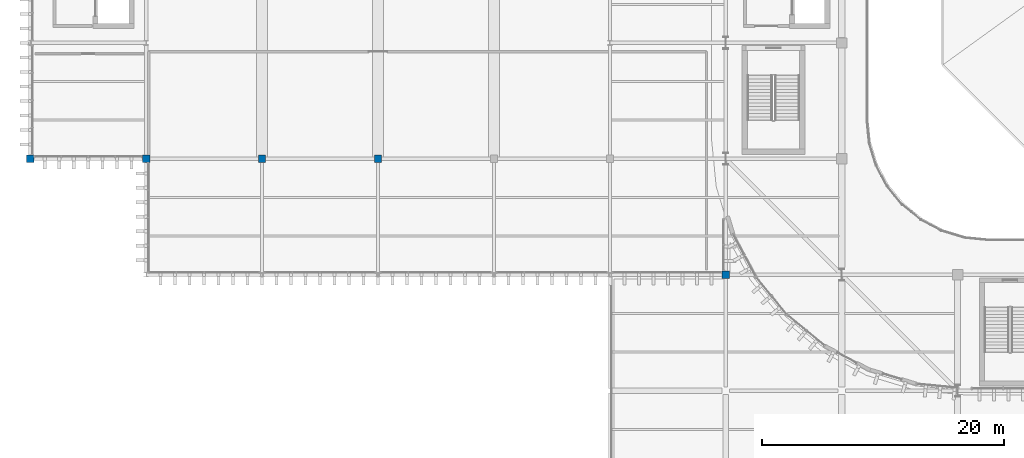
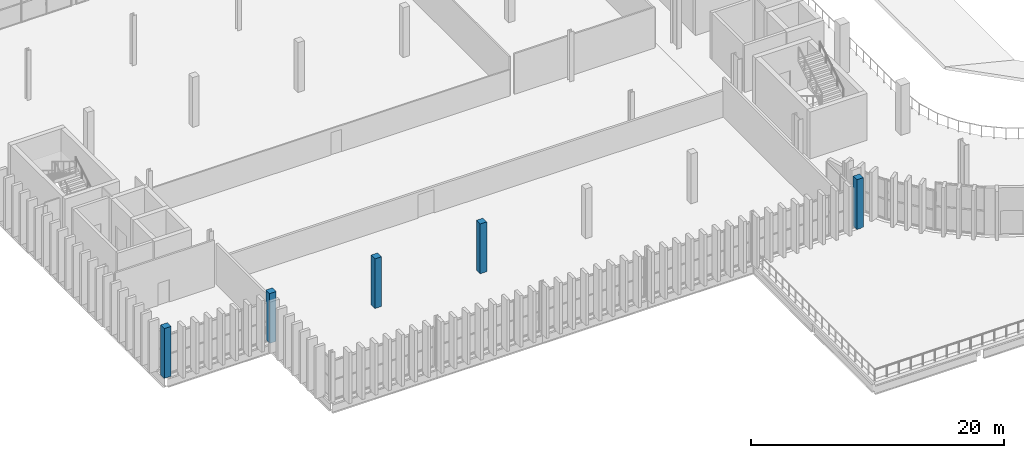
# One storey, part 2 of 99: 5 columns.
"""IFC4 building model written with IfcOpenShell, lengths in metres."""

from ifc_helpers import new_model, si_unit, direction, frame, origin, origin_2d, place, context, subcontext, project, spatial, rectangle, extrude, material, material_profile, profile_set, type_object, element, save


model = new_model("IFC4")

# Units and contexts
model_context = context("Model", 3, precision=1e-05, world=origin(), true_north=direction((0.0, 1.0)))
body_context = subcontext(model_context, "Body", "Model", "MODEL_VIEW")
ifc_project = project(units=[si_unit("LENGTHUNIT", "METRE"), si_unit("AREAUNIT", "SQUARE_METRE"), si_unit("VOLUMEUNIT", "CUBIC_METRE"), si_unit("PLANEANGLEUNIT", "RADIAN"), si_unit("MASSUNIT", "GRAM", prefix="KILO")], contexts=[model_context])

# Site, building, storey
site_placement = place(None, origin())
site = spatial("IfcSite", under=ifc_project, at=site_placement, CompositionType="ELEMENT")
building_placement = place(site_placement, origin())
building = spatial("IfcBuilding", under=site, at=building_placement, Name="Caelomonte Colonnade Arena", CompositionType="ELEMENT")
storey_placement = place(building_placement, frame((0.0, 0.0, 4.800048828125)))
storey = spatial("IfcBuildingStorey", under=building, at=storey_placement, Name="L01", CompositionType="ELEMENT", Elevation=4.800048828125)

# Columns
ifc_material = material(Name="Concrete C40/50", Category="concrete")
ifc_material_profile = material_profile(ifc_material, rectangle(XDim=0.60009765625, YDim=0.60009765625, at=origin_2d()), Name="RC600X600")
ifc_profile_set = profile_set([ifc_material_profile], Name="Concrete C40/50")
column_type = type_object("IfcColumnType", Name="STR-COL-RC06", PredefinedType="COLUMN", material=ifc_profile_set)
for number, where, z_axis, x_axis, name in (
    (1, (0.0, 38.39990234375, 0.0), (0.0, 0.0, 1.0), (1.0, 0.0, 0.0), "L01 column (0.0, 38.4)"),
    (2, (9.60009765625, 38.39990234375, 0.0), (0.0, 0.0, 1.0), (1.0, 0.0, 0.0), "L01 column (9.6, 38.4)"),
    (3, (19.199951171875, 38.39990234375, 0.0), (0.0, 0.0, 1.0), (1.0, 0.0, 0.0), "L01 column (19.2, 38.4)"),
    (4, (28.800048828125, 38.39990234375, 0.0), (0.0, 0.0, 1.0), (1.0, 0.0, 0.0), "L01 column (28.8, 38.4)"),
    (5, (57.60009765625, 28.800048828125, 0.0), (0.0, 0.0, 1.0), (1.0, 0.0, 0.0), "L01 column (57.6, 28.8)"),
):
    element("IfcColumn", number, at=place(storey_placement, frame(where, z_axis=z_axis, x_axis=x_axis)), inside=storey, type_object=column_type, Name=name, PredefinedType="COLUMN", context=body_context, shape_type="SweptSolid", body=[
        extrude(rectangle(XDim=0.60009765625, YDim=0.60009765625, at=origin_2d()), origin(), (0.0, 0.0, 1.0), 4.800048828125),
    ])

save(model, "model.ifc")
